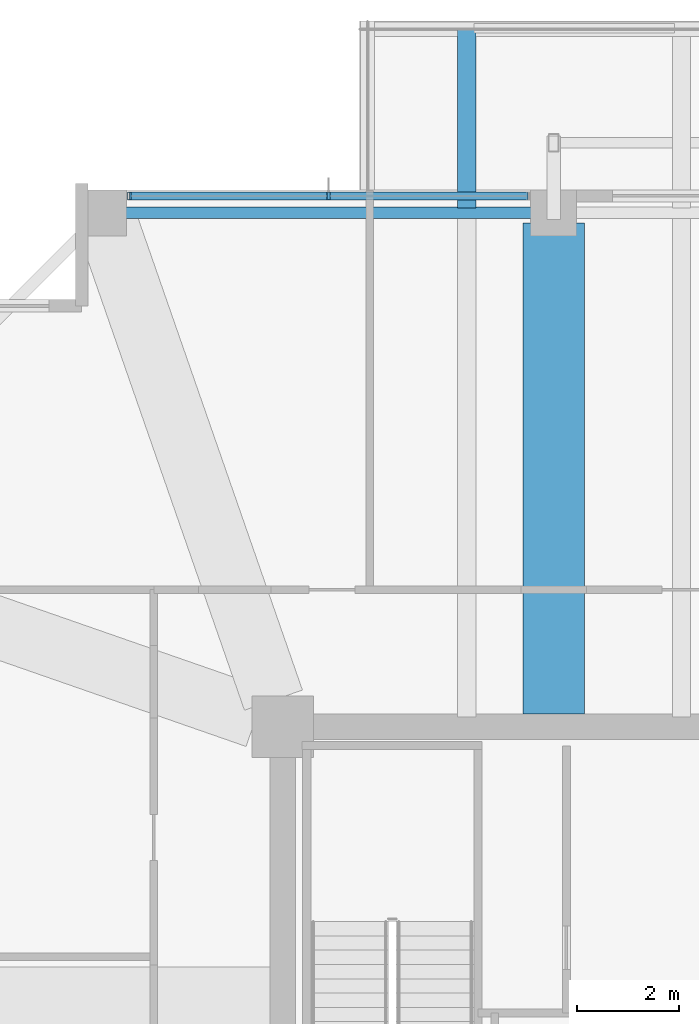
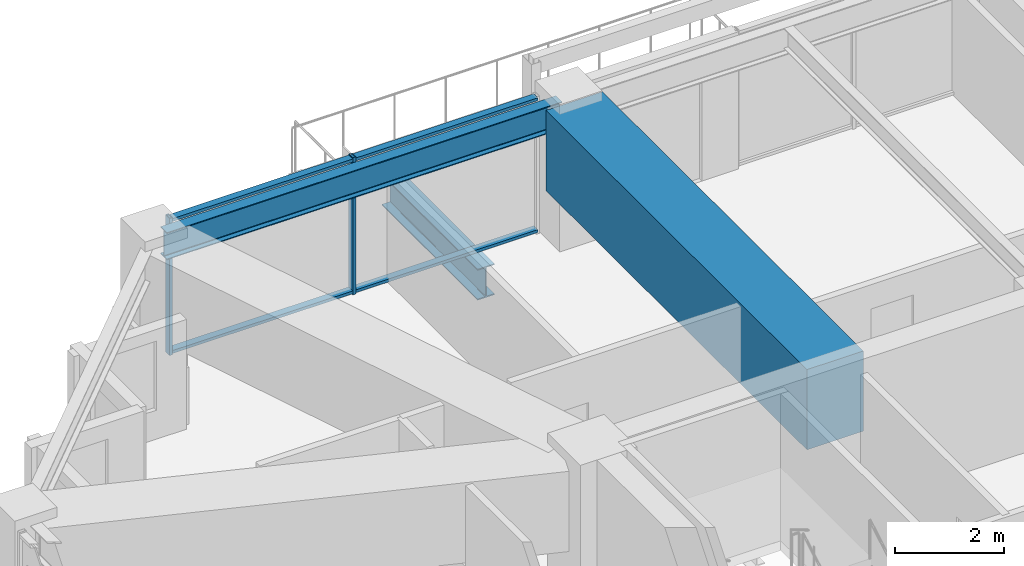
# One storey, part 18 of 37: 4 members, 3 beams, 1 element without a shape of its own.
"""IFC4 building model written with IfcOpenShell, lengths in metres."""

from ifc_helpers import new_model, si_unit, direction, frame, origin, origin_2d, place, context, subcontext, project, spatial, rectangle, hollow_rectangle, i_section, extrude, material, material_profile, profile_set, type_object, element, aggregate, save


model = new_model("IFC4")

# Units and contexts
model_context = context("Model", 3, precision=1e-05, world=origin(), true_north=direction((0.0, 1.0)))
body_context = subcontext(model_context, "Body", "Model", "MODEL_VIEW")
ifc_project = project(units=[si_unit("LENGTHUNIT", "METRE"), si_unit("AREAUNIT", "SQUARE_METRE"), si_unit("VOLUMEUNIT", "CUBIC_METRE"), si_unit("PLANEANGLEUNIT", "RADIAN"), si_unit("MASSUNIT", "GRAM", prefix="KILO")], contexts=[model_context])

# Site, building, storey
site_placement = place(None, origin())
site = spatial("IfcSite", under=ifc_project, at=site_placement, CompositionType="ELEMENT")
building_placement = place(site_placement, origin())
building = spatial("IfcBuilding", under=site, at=building_placement, Name="Kolvaren Belvedere", CompositionType="ELEMENT")
storey_placement = place(building_placement, frame((0.0, 0.0, 186.60009765625)))
storey = spatial("IfcBuildingStorey", under=building, at=storey_placement, Name="L54", CompositionType="ELEMENT", Elevation=186.60009765625)

# Beams
ifc_material_1 = material(Name="Structural steel ASTM A992 Grade 50", Category="steel")
ifc_material_profile_1 = material_profile(ifc_material_1, i_section(OverallWidth=0.35498046875, OverallDepth=0.696044921875, WebThickness=0.015380859375, FlangeThickness=0.02490234375, FilletRadius=0.02197265625, at=origin_2d()), Name="W27X146")
ifc_profile_set_1 = profile_set([ifc_material_profile_1], Name="Structural steel ASTM A992 Grade 50")
beam_type_1 = type_object("IfcBeamType", Name="BM-CANT-BAL", PredefinedType="BEAM", material=ifc_profile_set_1)
beam_1_placement = place(storey_placement, frame((-6.300048828125, 20.044921875, -0.568115234375), z_axis=(0.0, 1.0, 0.0), x_axis=(-1.0, 0.0, 0.0)))
element("IfcBeam", 1, at=beam_1_placement, inside=storey, type_object=beam_type_1, Name="L54 Planted Balcony Cantilever SPIRAL-08-N-1", PredefinedType="BEAM", context=body_context, shape_type="SweptSolid", body=[
    extrude(i_section(OverallWidth=0.35498046875, OverallDepth=0.696044921875, WebThickness=0.015380859375, FlangeThickness=0.02490234375, FilletRadius=0.02197265625, at=origin_2d()), origin(), (0.0, 0.0, 1.0), 3.51513671875),
])
ifc_material_2 = material(Name="Structural steel ASTM A992 Grade 50", Category="steel")
ifc_material_profile_2 = material_profile(ifc_material_2, i_section(OverallWidth=0.22900390625, OverallDepth=0.612060546875, WebThickness=0.011962890625, FlangeThickness=0.01953125, FilletRadius=0.01806640625, at=origin_2d()), Name="W24X84")
ifc_profile_set_2 = profile_set([ifc_material_profile_2], Name="Structural steel ASTM A992 Grade 50")
beam_type_2 = type_object("IfcBeamType", Name="BM-SPAN-W24X84", PredefinedType="SPANDREL", material=ifc_profile_set_2)
beam_2_placement = place(storey_placement, frame((-4.802490234375, 19.949951171875, 2.77392578125), z_axis=(-1.0, 0.0, 0.0), x_axis=(0.0, -1.0, 0.0)))
element("IfcBeam", 2, at=beam_2_placement, inside=storey, type_object=beam_type_2, Name="L54 Perimeter Spandrel N2-N1", PredefinedType="SPANDREL", context=body_context, shape_type="SweptSolid", body=[
    extrude(i_section(OverallWidth=0.22900390625, OverallDepth=0.612060546875, WebThickness=0.011962890625, FlangeThickness=0.01953125, FilletRadius=0.01806640625, at=origin_2d()), origin(), (0.0, 0.0, 1.0), 8.39501953125),
])
ifc_material_3 = material(Name="Concrete C50/60", Category="concrete")
ifc_material_profile_3 = material_profile(ifc_material_3, rectangle(XDim=1.199951171875, YDim=1.800048828125, at=origin_2d()), Name="RC 1200X1800")
ifc_profile_set_3 = profile_set([ifc_material_profile_3], Name="Concrete C50/60")
beam_type_3 = type_object("IfcBeamType", Name="BM-TG-1800", PredefinedType="BEAM", material=ifc_profile_set_3)
beam_3_placement = place(storey_placement, frame((-4.60009765625, 10.14990234375, 2.179931640625), z_axis=(0.0, 1.0, 0.0), x_axis=(-1.0, 0.0, 0.0)))
element("IfcBeam", 3, at=beam_3_placement, inside=storey, type_object=beam_type_3, Name="L54 North Radial Girder M", PredefinedType="BEAM", context=body_context, shape_type="SweptSolid", body=[
    extrude(rectangle(XDim=1.199951171875, YDim=1.800048828125, at=origin_2d()), origin(), (0.0, 0.0, 1.0), 9.59765625),
])

# Curtain wall, members
ifc_material_4 = material(Name="Anodised pale-metal aluminium AA 6063-T6", Category="aluminium")
curtain_wall_type = type_object("IfcCurtainWallType", Name="CW-Z5-HIGH", PredefinedType="NOTDEFINED", material=ifc_material_4)
curtain_wall_placement = place(storey_placement, origin())
curtain_wall = element("IfcCurtainWall", 4, at=curtain_wall_placement, inside=storey, type_object=curtain_wall_type, Name="L54 Unitised Curtain Wall FCW-L54-N1", PredefinedType="NOTDEFINED")
ifc_material_5 = material(Name="Anodised pale-metal aluminium AA 6063-T6", Category="aluminium")
ifc_material_profile_4 = material_profile(ifc_material_5, hollow_rectangle(XDim=0.070068359375, YDim=0.14990234375, WallThickness=0.004150390625, at=origin_2d()), Name="ALU-MUL-150X70")
ifc_profile_set_4 = profile_set([ifc_material_profile_4], Name="Anodised pale-metal aluminium AA 6063-T6")
member_type_1 = type_object("IfcMemberType", Name="CW-MUL-150", PredefinedType="MULLION", material=ifc_profile_set_4)
member_1_placement = place(storey_placement, frame((-12.89501953125, 20.280029296875, 0.0), z_axis=(0.0, 0.0, 1.0), x_axis=(1.0, 0.0, 0.0)))
member_1 = element("IfcMember", 5, at=member_1_placement, type_object=member_type_1, Name="FCW-L54-N1 Unitised Mullion 1", PredefinedType="MULLION", context=body_context, shape_type="SweptSolid", body=[
    extrude(hollow_rectangle(XDim=0.070068359375, YDim=0.14990234375, WallThickness=0.004150390625, at=origin_2d()), origin(), (0.0, 0.0, 1.0), 3.079833984375),
])
member_2_placement = place(storey_placement, frame((-9.0, 20.280029296875, 0.0), z_axis=(0.0, 0.0, 1.0), x_axis=(1.0, 0.0, 0.0)))
member_2 = element("IfcMember", 6, at=member_2_placement, type_object=member_type_1, Name="FCW-L54-N1 Unitised Mullion 2", PredefinedType="MULLION", context=body_context, shape_type="SweptSolid", body=[
    extrude(hollow_rectangle(XDim=0.070068359375, YDim=0.14990234375, WallThickness=0.004150390625, at=origin_2d()), origin(), (0.0, 0.0, 1.0), 3.079833984375),
])
ifc_material_6 = material(Name="Anodised pale-metal aluminium AA 6063-T6", Category="aluminium")
ifc_material_profile_5 = material_profile(ifc_material_6, hollow_rectangle(XDim=0.06494140625, YDim=0.14990234375, WallThickness=0.00390625, at=origin_2d()), Name="ALU-TRN-150X65")
ifc_profile_set_5 = profile_set([ifc_material_profile_5], Name="Anodised pale-metal aluminium AA 6063-T6")
member_type_2 = type_object("IfcMemberType", Name="CW-TRN-150", PredefinedType="USERDEFINED", material=ifc_profile_set_5)
member_3_placement = place(storey_placement, frame((-12.89501953125, 20.280029296875, 0.059814453125), z_axis=(1.0, 0.0, 0.0), x_axis=(0.0, 0.0, 1.0)))
member_3 = element("IfcMember", 7, at=member_3_placement, type_object=member_type_2, Name="FCW-L54-N1 Sill Transom", ObjectType="TRANSOM", PredefinedType="USERDEFINED", context=body_context, shape_type="SweptSolid", body=[
    extrude(hollow_rectangle(XDim=0.06494140625, YDim=0.14990234375, WallThickness=0.00390625, at=origin_2d()), origin(), (0.0, 0.0, 1.0), 7.7900390625),
])
member_4_placement = place(storey_placement, frame((-12.89501953125, 20.280029296875, 3.02001953125), z_axis=(1.0, 0.0, 0.0), x_axis=(0.0, 0.0, 1.0)))
member_4 = element("IfcMember", 8, at=member_4_placement, type_object=member_type_2, Name="FCW-L54-N1 Head Transom", ObjectType="TRANSOM", PredefinedType="USERDEFINED", context=body_context, shape_type="SweptSolid", body=[
    extrude(hollow_rectangle(XDim=0.06494140625, YDim=0.14990234375, WallThickness=0.00390625, at=origin_2d()), origin(), (0.0, 0.0, 1.0), 7.7900390625),
])
aggregate(curtain_wall, [member_1, member_2, member_3, member_4])

save(model, "model.ifc")
